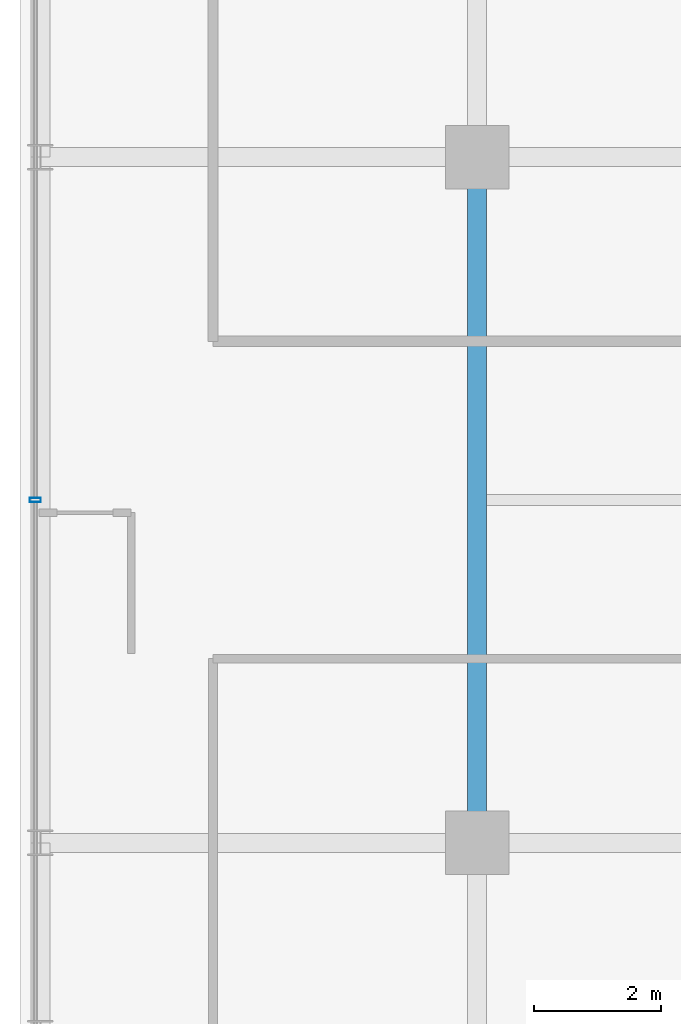
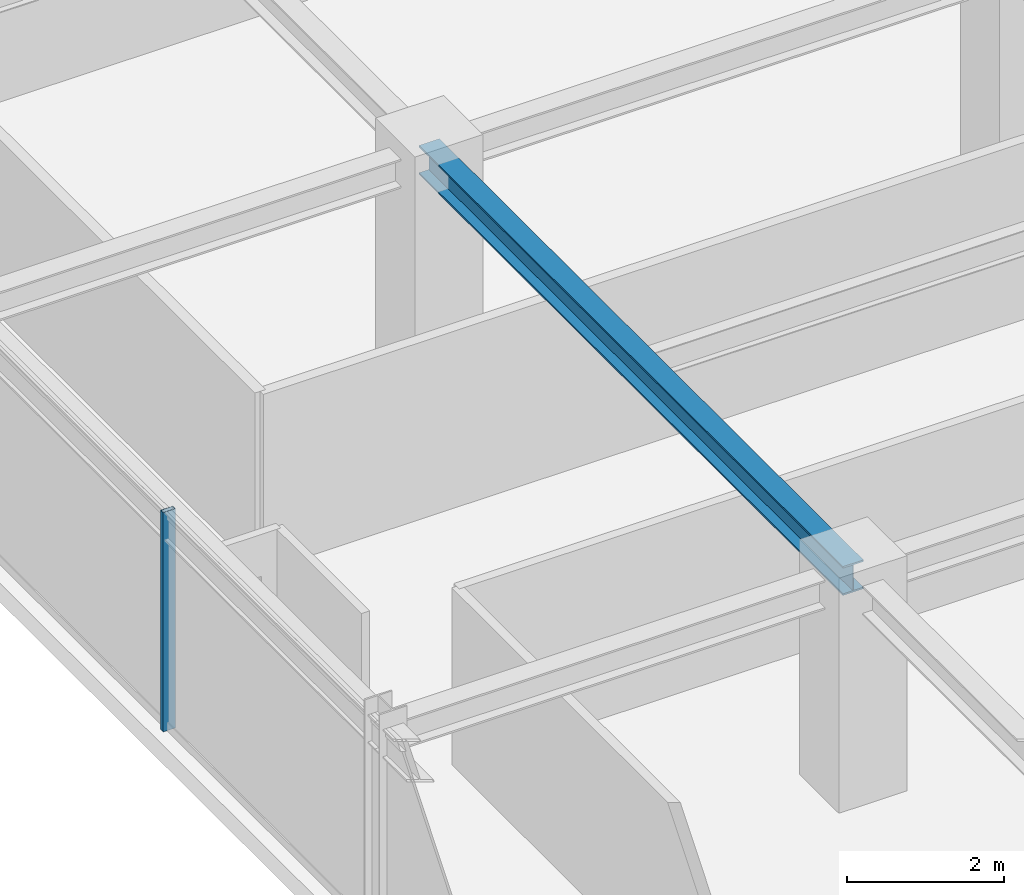
# One storey, part 10 of 36: 1 beam, 1 member, 1 element without a shape of its own.
"""IFC4 building model written with IfcOpenShell, lengths in metres."""

from ifc_helpers import new_model, si_unit, direction, frame, origin, origin_2d, place, context, subcontext, project, spatial, hollow_rectangle, i_section, extrude, source, transform, mapped, material, material_profile, profile_set, type_object, element, aggregate, save


model = new_model("IFC4")

# Units and contexts
model_context = context("Model", 3, precision=1e-05, world=origin(), true_north=direction((0.0, 1.0)))
body_context = subcontext(model_context, "Body", "Model", "MODEL_VIEW")
ifc_project = project(units=[si_unit("LENGTHUNIT", "METRE"), si_unit("AREAUNIT", "SQUARE_METRE"), si_unit("VOLUMEUNIT", "CUBIC_METRE"), si_unit("PLANEANGLEUNIT", "RADIAN"), si_unit("MASSUNIT", "GRAM", prefix="KILO")], contexts=[model_context])

# Site, building, storey
site_placement = place(None, origin())
site = spatial("IfcSite", under=ifc_project, at=site_placement, CompositionType="ELEMENT")
building_placement = place(site_placement, origin())
building = spatial("IfcBuilding", under=site, at=building_placement, Name="Nahalor Promenade Grand Hotel", CompositionType="ELEMENT")
storey_placement = place(building_placement, frame((0.0, 0.0, 223.39990234375)))
storey = spatial("IfcBuildingStorey", under=building, at=storey_placement, Name="L57", CompositionType="ELEMENT", Elevation=223.39990234375)

# Beam
ifc_material_1 = material(Name="Steel S355JR", Category="steel")
ifc_material_profile_1 = material_profile(ifc_material_1, i_section(OverallWidth=0.3, OverallDepth=0.45, WebThickness=0.014, FlangeThickness=0.026, at=origin_2d()), Name="HEB 450")
ifc_profile_set_1 = profile_set([ifc_material_profile_1], Name="Steel S355JR")
beam_type = type_object("IfcBeamType", Name="Beam-Girder-HEB450", PredefinedType="BEAM", material=ifc_profile_set_1)
shared_shape_1 = source(origin(), body_context, "Body", "SweptSolid", [
    extrude(i_section(OverallWidth=0.3, OverallDepth=0.45, WebThickness=0.014, FlangeThickness=0.026, at=origin_2d()), origin(), (0.0, 0.0, 1.0), 10.7998046875),
])
beam_placement = place(storey_placement, frame((-17.0, -5.39990234375, 3.18505859375), z_axis=(0.0, 1.0, 0.0), x_axis=(-1.0, 0.0, 0.0)))
element("IfcBeam", 1, at=beam_placement, inside=storey, type_object=beam_type, Name="BM-L57-GY-0-2", PredefinedType="BEAM", context=body_context, shape_type="MappedRepresentation", body=[
    mapped(shared_shape_1, transform((0.0, 0.0, 0.0), scale=1.0)),
])

# Curtain wall, member
ifc_material_2 = material(Name="Anodised Bronze Aluminium EN AW-6063 T6", Category="aluminium")
curtain_wall_type = type_object("IfcCurtainWallType", Name="CW2 Typical Hotel Flush Bronze Unitised Curtain Wall", PredefinedType="USERDEFINED", material=ifc_material_2)
curtain_wall_placement = place(storey_placement, origin())
curtain_wall = element("IfcCurtainWall", 2, at=curtain_wall_placement, inside=storey, type_object=curtain_wall_type, Name="L57 Curtain Wall CW-L57-W-1", ObjectType="UNITISED_CURTAIN_WALL", PredefinedType="USERDEFINED")
ifc_material_profile_2 = material_profile(ifc_material_2, hollow_rectangle(XDim=0.065, YDim=0.18, WallThickness=0.004, at=origin_2d()), Name="CWM 65x180x4")
ifc_profile_set_2 = profile_set([ifc_material_profile_2], Name="Anodised Bronze Aluminium EN AW-6063 T6")
member_type = type_object("IfcMemberType", Name="CWM2 Typical Bronze Mullion 65x180", PredefinedType="MULLION", material=ifc_profile_set_2)
shared_shape_2 = source(origin(), body_context, "Body", "SweptSolid", [
    extrude(hollow_rectangle(XDim=0.065, YDim=0.18, WallThickness=0.004, at=origin_2d()), origin(), (0.0, 0.0, 1.0), 3.41015625),
])
member_placement = place(storey_placement, frame((-23.9599609375, 0.0, 0.0), z_axis=(0.0, 0.0, 1.0), x_axis=(0.0, 1.0, 0.0)))
member = element("IfcMember", 3, at=member_placement, type_object=member_type, Name="CW-L57-W-1 Mullion 2", PredefinedType="MULLION", context=body_context, shape_type="MappedRepresentation", body=[
    mapped(shared_shape_2, transform((0.0, 0.0, 0.0), scale=1.0)),
])
aggregate(curtain_wall, [member])

save(model, "model.ifc")
